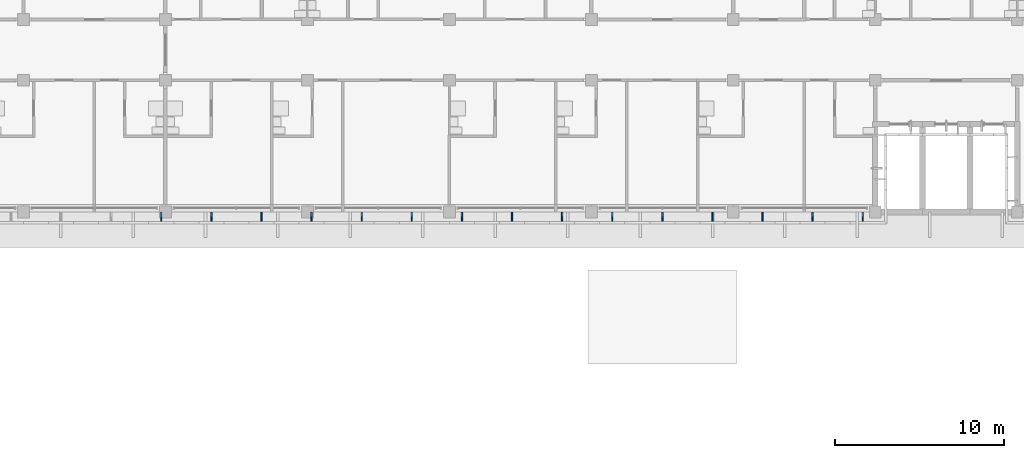
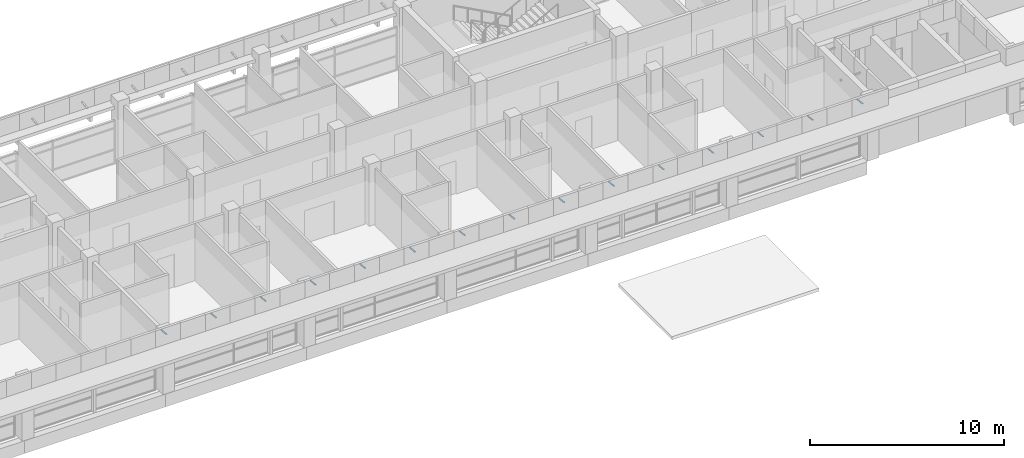
# One storey, part 26 of 36: 15 discrete accessories.
"""IFC4 building model written with IfcOpenShell, lengths in metres."""

from ifc_helpers import new_model, si_unit, direction, frame, origin, origin_2d, place, context, subcontext, project, spatial, rectangle, extrude, material, material_profile, profile_set, type_object, element, save


model = new_model("IFC4")

# Units and contexts
model_context = context("Model", 3, precision=1e-05, world=origin(), true_north=direction((0.0, 1.0)))
body_context = subcontext(model_context, "Body", "Model", "MODEL_VIEW")
ifc_project = project(units=[si_unit("LENGTHUNIT", "METRE"), si_unit("AREAUNIT", "SQUARE_METRE"), si_unit("VOLUMEUNIT", "CUBIC_METRE"), si_unit("PLANEANGLEUNIT", "RADIAN"), si_unit("MASSUNIT", "GRAM", prefix="KILO")], contexts=[model_context])

# Site, building, storey
site_placement = place(None, origin())
site = spatial("IfcSite", under=ifc_project, at=site_placement, CompositionType="ELEMENT")
building_placement = place(site_placement, origin())
building = spatial("IfcBuilding", under=site, at=building_placement, Name="Bougainvillea Quay General Hospital", CompositionType="ELEMENT")
storey_placement = place(building_placement, frame((0.0, 0.0, 32.699951171875)))
storey = spatial("IfcBuildingStorey", under=building, at=storey_placement, Name="L07", CompositionType="ELEMENT", Elevation=32.699951171875)

# Discrete accessories
ifc_material = material(Name="Stainless steel bracket, grade 316", Category="steel")
ifc_material_profile = material_profile(ifc_material, rectangle(XDim=0.080078125, YDim=0.050048828125, at=origin_2d()))
ifc_profile_set = profile_set([ifc_material_profile], Name="Stainless steel bracket, grade 316")
discrete_accessory_type = type_object("IfcDiscreteAccessoryType", Name="Stainless steel stand-off bracket 80x50", PredefinedType="BRACKET", material=ifc_profile_set)
for number, where, z_axis, x_axis, name in (
    (1, (108.952880859375, 140.39990234375, 3.840087890625), (0.0, -0.994086591779, 0.108590276011), (1.0, 0.0, 0.0), "Fascia bracket e0 163"),
    (2, (111.917724609375, 140.39990234375, 3.840087890625), (0.0, -0.994086591779, 0.108590276011), (1.0, 0.0, 0.0), "Fascia bracket e0 165"),
    (3, (114.88232421875, 140.39990234375, 3.840087890625), (0.0, -0.994086591779, 0.108590276011), (1.0, 0.0, 0.0), "Fascia bracket e0 167"),
    (4, (117.84716796875, 140.39990234375, 3.840087890625), (0.0, -0.994086591779, 0.108590276011), (1.0, 0.0, 0.0), "Fascia bracket e0 169"),
    (5, (120.811767578125, 140.39990234375, 3.840087890625), (0.0, -0.994086591779, 0.108590276011), (1.0, 0.0, 0.0), "Fascia bracket e0 171"),
    (6, (123.7763671875, 140.39990234375, 3.840087890625), (0.0, -0.994086591779, 0.108590276011), (1.0, 0.0, 0.0), "Fascia bracket e0 173"),
    (7, (126.7412109375, 140.39990234375, 3.840087890625), (0.0, -0.994086591779, 0.108590276011), (1.0, 0.0, 0.0), "Fascia bracket e0 175"),
    (8, (129.705810546875, 140.39990234375, 3.840087890625), (0.0, -0.994086591779, 0.108590276011), (1.0, 0.0, 0.0), "Fascia bracket e0 177"),
    (9, (132.670654296875, 140.39990234375, 3.840087890625), (0.0, -0.994086591779, 0.108590276011), (1.0, 0.0, 0.0), "Fascia bracket e0 179"),
    (10, (135.63525390625, 140.39990234375, 3.840087890625), (0.0, -0.994086591779, 0.108590276011), (1.0, 0.0, 0.0), "Fascia bracket e0 181"),
    (11, (138.60009765625, 140.39990234375, 3.840087890625), (0.0, -0.994086591779, 0.108590276011), (1.0, 0.0, 0.0), "Fascia bracket e0 183"),
    (12, (141.564697265625, 140.39990234375, 3.840087890625), (0.0, -0.994086591779, 0.108590276011), (1.0, 0.0, 0.0), "Fascia bracket e0 185"),
    (13, (144.529296875, 140.39990234375, 3.840087890625), (0.0, -0.994086591779, 0.108590276011), (1.0, 0.0, 0.0), "Fascia bracket e0 187"),
    (14, (147.494140625, 140.39990234375, 3.840087890625), (0.0, -0.994086591779, 0.108590276011), (1.0, 0.0, 0.0), "Fascia bracket e0 189"),
    (15, (150.458740234375, 140.39990234375, 3.840087890625), (0.0, -0.994086591779, 0.108590276011), (1.0, 0.0, 0.0), "Fascia bracket e0 191"),
):
    element("IfcDiscreteAccessory", number, at=place(storey_placement, frame(where, z_axis=z_axis, x_axis=x_axis)), inside=storey, type_object=discrete_accessory_type, Name=name, PredefinedType="BRACKET", context=body_context, shape_type="SweptSolid", body=[
        extrude(rectangle(XDim=0.080078125, YDim=0.050048828125, at=origin_2d()), origin(), (0.0, 0.0, 1.0), 0.552978515625),
    ])

save(model, "model.ifc")
